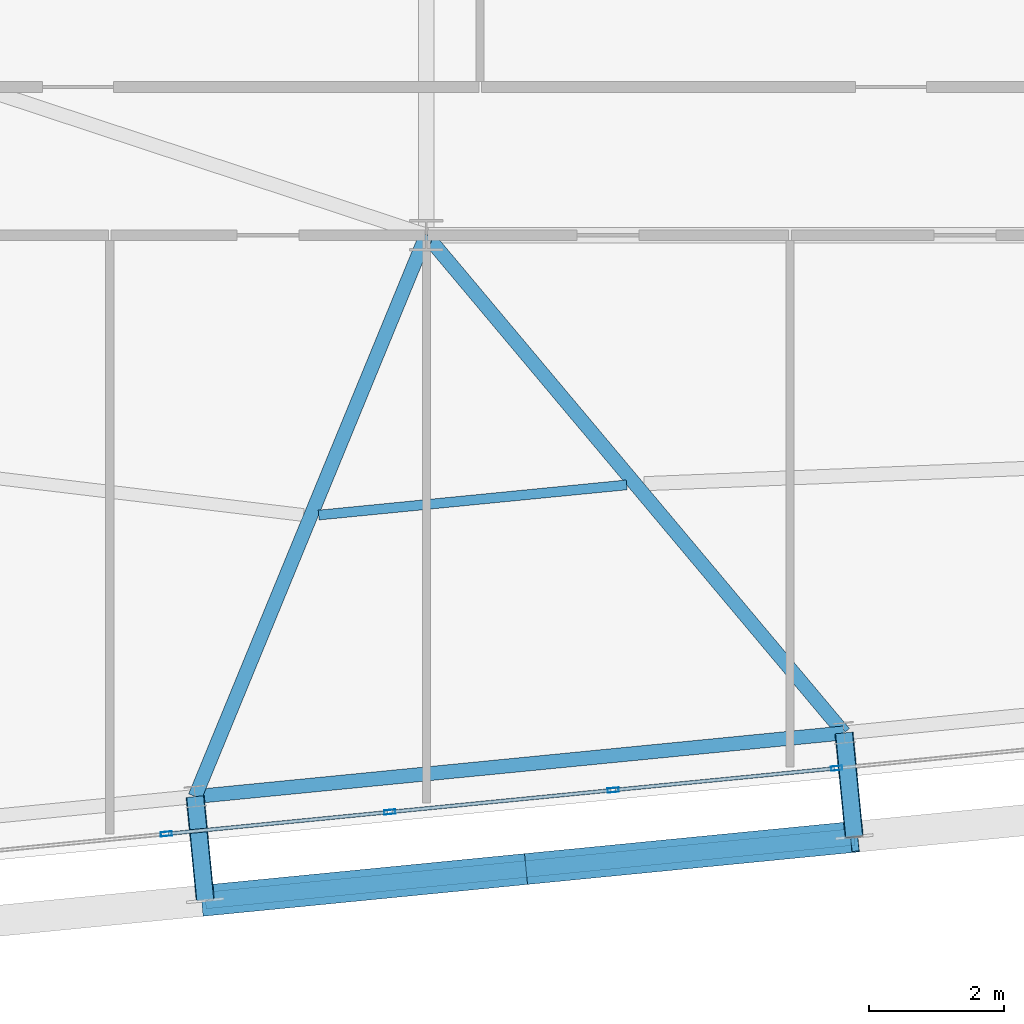
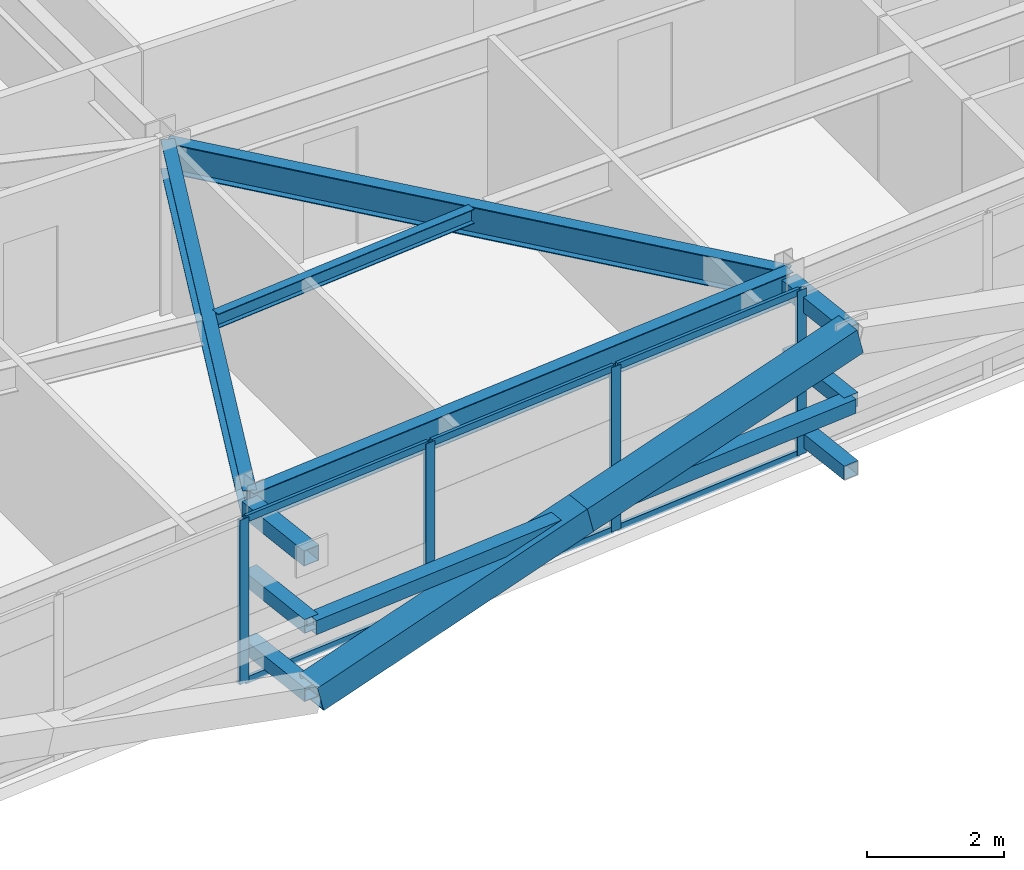
# One storey, part 10 of 54: 19 members, 4 beams, 1 element without a shape of its own.
"""IFC4 building model written with IfcOpenShell, lengths in metres."""

import ifcopenshell
import ifcopenshell.guid

model = None  # the IFC model being written
_history = None  # IfcOwnerHistory: only IFC2X3 demands one
_inside = {}  # id of a spatial element -> (the spatial element, [elements in it])
_under = {}  # id of a project, library or spatial element -> (it, [spatial elements below it])
_declared = {}  # id of a project -> (the project, [libraries it declares])
_typed = {}  # id of a type object -> (the type object, [elements of that type])
_made_of = {}  # id of a material, layer set ... -> (it, [elements and type objects made of it])


def new_model(schema):
    """Start an empty IFC model of exactly this schema.

    Asked for "IFC4X3", IfcOpenShell would pick the latest addendum, in which some entities
    have other attributes; the version numbers below select the first issue.
    IFC2X3 requires an IfcOwnerHistory on every rooted entity: one is made here for all.
    """
    global model, _history
    if schema == "IFC4X3":
        model = ifcopenshell.file(schema_version=(4, 3, 0, 0))
    else:
        model = ifcopenshell.file(schema=schema)
    _inside.clear()
    _under.clear()
    _declared.clear()
    _typed.clear()
    _made_of.clear()
    _history = None
    if model.schema == "IFC2X3":
        org = make("IfcOrganization", Name="unknown")
        user = make(
            "IfcPersonAndOrganization",
            ThePerson=make("IfcPerson", FamilyName="unknown"),
            TheOrganization=org,
        )
        app = make(
            "IfcApplication",
            ApplicationDeveloper=org,
            Version="unknown",
            ApplicationFullName="unknown",
            ApplicationIdentifier="unknown",
        )
        _history = make(
            "IfcOwnerHistory",
            OwningUser=user,
            OwningApplication=app,
            ChangeAction="ADDED",
            CreationDate=0,
        )
    return model


def make(cls, **values):
    """One entity of the class cls with the attributes given. An attribute that is None is left unset."""
    return model.create_entity(
        cls, **{name: value for name, value in values.items() if value is not None}
    )


def rooted(cls, **values):
    """An entity with a GlobalId (a new one), such as an element, a storey or a relation."""
    return make(cls, GlobalId=ifcopenshell.guid.new(), OwnerHistory=_history, **values)


def si_unit(unit_type, name, prefix=None):
    """IfcSIUnit, for example si_unit("LENGTHUNIT", "METRE", prefix="MILLI")."""
    return make("IfcSIUnit", UnitType=unit_type, Prefix=prefix, Name=name)


def assignment(units):
    """IfcUnitAssignment: the units of a project."""
    return None if units is None else make("IfcUnitAssignment", Units=units)


def point(xyz):
    """IfcCartesianPoint."""
    return None if xyz is None else make("IfcCartesianPoint", Coordinates=xyz)


def direction(xyz):
    """IfcDirection."""
    return None if xyz is None else make("IfcDirection", DirectionRatios=xyz)


def frame(location, z_axis=None, x_axis=None):
    """IfcAxis2Placement3D, a coordinate frame: its origin and axes. An axis left out is left unset."""
    return make(
        "IfcAxis2Placement3D",
        Location=point(location),
        Axis=direction(z_axis),
        RefDirection=direction(x_axis),
    )


def frame_2d(location, x_axis=None):
    """IfcAxis2Placement2D, a coordinate frame in the plane: its origin and x axis."""
    return make(
        "IfcAxis2Placement2D", Location=point(location), RefDirection=direction(x_axis)
    )


def origin():
    """The frame at (0, 0, 0) with its axes left unset."""
    return frame((0.0, 0.0, 0.0))


def origin_2d():
    """The frame at (0, 0) in the plane with its x axis left unset."""
    return frame_2d((0.0, 0.0))


def place(relative_to, where):
    """IfcLocalPlacement: puts the frame where relative to a parent placement (None: the world)."""
    return make(
        "IfcLocalPlacement", PlacementRelTo=relative_to, RelativePlacement=where
    )


def context(
    kind, dimensions, precision=None, world=None, true_north=None, identifier=None
):
    """IfcGeometricRepresentationContext, for example the 3D "Model" context."""
    return make(
        "IfcGeometricRepresentationContext",
        ContextIdentifier=identifier,
        ContextType=kind,
        CoordinateSpaceDimension=dimensions,
        Precision=precision,
        WorldCoordinateSystem=world,
        TrueNorth=true_north,
    )


def subcontext(parent, identifier, kind, view, scale=None):
    """IfcGeometricRepresentationSubContext, for example "Body" below "Model"."""
    return make(
        "IfcGeometricRepresentationSubContext",
        ContextIdentifier=identifier,
        ContextType=kind,
        ParentContext=parent,
        TargetScale=scale,
        TargetView=view,
    )


def project(units=None, contexts=None):
    """IfcProject with its units and contexts."""
    return rooted(
        "IfcProject",
        Name="project",
        RepresentationContexts=contexts,
        UnitsInContext=assignment(units),
    )


def spatial(cls, under=None, at=None, **own):
    """A site, building, storey or space (cls), placed at a placement, below another one or the project."""
    s = rooted(cls, ObjectPlacement=at, **own)
    if under is not None:
        _under.setdefault(under.id(), (under, []))[1].append(s)
    return s


def profile(cls, at=None, kind="AREA", **sizes):
    """A parametric profile (cls). Its sizes go by their IFC names, for example OverallWidth=200.0."""
    return make(cls, ProfileType=kind, Position=at, **sizes)


def hollow_rectangle(**sizes):
    """IfcRectangleHollowProfileDef."""
    return profile("IfcRectangleHollowProfileDef", **sizes)


def i_section(**sizes):
    """IfcIShapeProfileDef."""
    return profile("IfcIShapeProfileDef", **sizes)


def extrude(swept, where, along, depth):
    """IfcExtrudedAreaSolid: the profile swept, set in the frame where, extruded along a direction by depth."""
    return make(
        "IfcExtrudedAreaSolid",
        SweptArea=swept,
        Position=where,
        ExtrudedDirection=direction(along),
        Depth=depth,
    )


def shape(context_of_items, identifier, shape_type, items):
    """IfcShapeRepresentation: the items that make up one representation, for example the "Body"."""
    return make(
        "IfcShapeRepresentation",
        ContextOfItems=context_of_items,
        RepresentationIdentifier=identifier,
        RepresentationType=shape_type,
        Items=items,
    )


def source(mapping_origin, context_of_items, identifier, shape_type, items):
    """IfcRepresentationMap: a shape defined once, which mapped items show again and again."""
    return make(
        "IfcRepresentationMap",
        MappingOrigin=mapping_origin,
        MappedRepresentation=shape(context_of_items, identifier, shape_type, items),
    )


def transform(
    local_origin,
    x_axis=None,
    y_axis=None,
    z_axis=None,
    scale=None,
    scale2=None,
    scale3=None,
    uniform=True,
):
    """IfcCartesianTransformationOperator3D, or its non-uniform kind. x_axis, y_axis, z_axis: its Axis1, 2, 3."""
    if uniform:
        return make(
            "IfcCartesianTransformationOperator3D",
            Axis1=direction(x_axis),
            Axis2=direction(y_axis),
            LocalOrigin=point(local_origin),
            Scale=scale,
            Axis3=direction(z_axis),
        )
    return make(
        "IfcCartesianTransformationOperator3DnonUniform",
        Axis1=direction(x_axis),
        Axis2=direction(y_axis),
        LocalOrigin=point(local_origin),
        Scale=scale,
        Axis3=direction(z_axis),
        Scale2=scale2,
        Scale3=scale3,
    )


def mapped(mapping_source, mapping_target):
    """IfcMappedItem: shows the shape of a source again, moved by a transform."""
    return make(
        "IfcMappedItem", MappingSource=mapping_source, MappingTarget=mapping_target
    )


def material(Name=None, Category=None):
    """IfcMaterial."""
    return make("IfcMaterial", Name=Name, Category=Category)


def layer(
    of_material, thickness, ventilated=None, Name=None, Category=None, Priority=None
):
    """IfcMaterialLayer: one layer of a wall or slab, of a material (None: an air gap)."""
    return make(
        "IfcMaterialLayer",
        Material=of_material,
        LayerThickness=thickness,
        IsVentilated=ventilated,
        Name=Name,
        Category=Category,
        Priority=Priority,
    )


def layer_set(layers, Name=None):
    """IfcMaterialLayerSet."""
    return make("IfcMaterialLayerSet", MaterialLayers=layers, LayerSetName=Name)


def material_profile(
    of_material, cross_section, Name=None, Category=None, Priority=None
):
    """IfcMaterialProfile: a cross section and its material."""
    return make(
        "IfcMaterialProfile",
        Name=Name,
        Material=of_material,
        Profile=cross_section,
        Priority=Priority,
        Category=Category,
    )


def profile_set(profiles, Name=None, composite=None):
    """IfcMaterialProfileSet."""
    return make(
        "IfcMaterialProfileSet",
        Name=Name,
        MaterialProfiles=profiles,
        CompositeProfile=composite,
    )


def made_of(thing, what):
    """Note that an element or type object is made of a material, layer set ...; save() writes the relation."""
    if what is not None:
        _made_of.setdefault(what.id(), (what, []))[1].append(thing)
    return thing


def type_object(cls, material=None, **own):
    """A type object (cls), such as IfcWallType, which elements share."""
    return made_of(rooted(cls, **own), material)


def element(
    cls,
    number,
    at=None,
    inside=None,
    cuts=None,
    type_object=None,
    material=None,
    context=None,
    identifier="Body",
    shape_type=None,
    held_by="IfcProductDefinitionShape",
    body=None,
    shapes=None,
    **own,
):
    """One element of the class cls, such as IfcWall. Its Tag is "e" and its number.

    at: its placement. inside: the storey or other place that contains it. cuts: it is an
    opening in that element (IfcRelVoidsElement). A single representation is given by context,
    identifier, shape_type and body (its items); several are given by shapes. held_by: the class
    of the entity that holds the representations. save() writes the other relations.
    """
    e = rooted(cls, Tag="e%d" % number, ObjectPlacement=at, **own)
    if body is not None:
        shapes = [shape(context, identifier, shape_type, body)]
    if shapes is not None:
        e.Representation = make(held_by, Representations=shapes)
    if inside is not None:
        _inside.setdefault(inside.id(), (inside, []))[1].append(e)
    if cuts is not None:
        rooted(
            "IfcRelVoidsElement", RelatingBuildingElement=cuts, RelatedOpeningElement=e
        )
    if type_object is not None:
        _typed.setdefault(type_object.id(), (type_object, []))[1].append(e)
    return made_of(e, material)


def aggregate(whole, parts):
    """IfcRelAggregates: a whole, such as a stair, and the parts it consists of."""
    return rooted("IfcRelAggregates", RelatingObject=whole, RelatedObjects=parts)


def save(model, path):
    """Write the relations noted so far, then the file.

    IfcRelAggregates (storeys below a building ...), IfcRelContainedInSpatialStructure (elements
    in a storey), IfcRelDefinesByType, IfcRelAssociatesMaterial and IfcRelDeclares: one each for
    every whole, place, type object, material and project.
    """
    for whole, parts in _under.values():
        aggregate(whole, parts)
    for where, things in _inside.values():
        rooted(
            "IfcRelContainedInSpatialStructure",
            RelatedElements=things,
            RelatingStructure=where,
        )
    for kind, things in _typed.values():
        rooted("IfcRelDefinesByType", RelatedObjects=things, RelatingType=kind)
    for what, things in _made_of.values():
        rooted("IfcRelAssociatesMaterial", RelatedObjects=things, RelatingMaterial=what)
    for by, libraries in _declared.values():
        rooted("IfcRelDeclares", RelatingContext=by, RelatedDefinitions=libraries)
    model.write(path)


model = new_model("IFC4")

# Units and contexts
model_context = context("Model", 3, precision=1e-05, world=origin(), true_north=direction((0.0, 1.0)))
body_context = subcontext(model_context, "Body", "Model", "MODEL_VIEW")
ifc_project = project(units=[si_unit("LENGTHUNIT", "METRE"), si_unit("AREAUNIT", "SQUARE_METRE"), si_unit("VOLUMEUNIT", "CUBIC_METRE"), si_unit("PLANEANGLEUNIT", "RADIAN"), si_unit("MASSUNIT", "GRAM", prefix="KILO")], contexts=[model_context])

# Site, building, storey
site_placement = place(None, origin())
site = spatial("IfcSite", under=ifc_project, at=site_placement, CompositionType="ELEMENT")
building_placement = place(site_placement, origin())
building = spatial("IfcBuilding", under=site, at=building_placement, Name="Taldren Reach Tower", CompositionType="ELEMENT")
storey_placement = place(building_placement, frame((0.0, 0.0, 102.89990234375)))
storey = spatial("IfcBuildingStorey", under=building, at=storey_placement, Name="L31", CompositionType="ELEMENT", Elevation=102.89990234375)

# Beams
ifc_material_1 = material(Name="Steel Gr 350 (350PLUS)", Category="steel")
ifc_material_profile_1 = material_profile(ifc_material_1, i_section(OverallWidth=0.208984375, OverallDepth=0.528076171875, WebThickness=0.009521484375, FlangeThickness=0.01318359375, at=origin_2d()), Name="530UB82.0")
ifc_profile_set_1 = profile_set([ifc_material_profile_1], Name="Steel Gr 350 (350PLUS)")
beam_type_1 = type_object("IfcBeamType", Name="SP-UB530B", PredefinedType="SPANDREL", material=ifc_profile_set_1)
shared_shape_1 = source(origin(), body_context, "Body", "SweptSolid", [
    extrude(i_section(OverallWidth=0.208984375, OverallDepth=0.528076171875, WebThickness=0.009521484375, FlangeThickness=0.01318359375, at=origin_2d()), origin(), (0.0, 0.0, 1.0), 9.679931640625),
])
beam_1_placement = place(storey_placement, frame((24.56787109375, 0.86474609375, 2.666015625), z_axis=(0.995227612658, 0.097580730699, 0.0), x_axis=(-0.097580730699, 0.995227612658, 0.0)))
element("IfcBeam", 1, at=beam_1_placement, inside=storey, type_object=beam_type_1, Name="Perimeter spandrel B2 S2-S3 L31", PredefinedType="SPANDREL", context=body_context, shape_type="MappedRepresentation", body=[
    mapped(shared_shape_1, transform((0.0, 0.0, 0.0), scale=1.0)),
])
ifc_material_profile_2 = material_profile(ifc_material_1, i_section(OverallWidth=0.208984375, OverallDepth=0.532958984375, WebThickness=0.01025390625, FlangeThickness=0.015625, at=origin_2d()), Name="530UB92.4")
ifc_profile_set_2 = profile_set([ifc_material_profile_2], Name="Steel Gr 350 (350PLUS)")
beam_type_2 = type_object("IfcBeamType", Name="BM-UB530A", PredefinedType="BEAM", material=ifc_profile_set_2)
shared_shape_2 = source(origin(), body_context, "Body", "SweptSolid", [
    extrude(i_section(OverallWidth=0.208984375, OverallDepth=0.532958984375, WebThickness=0.01025390625, FlangeThickness=0.015625, at=origin_2d()), origin(), (0.0, 0.0, 1.0), 9.01416015625),
])
beam_2_placement = place(storey_placement, frame((28.0, 9.199951171875, 2.66357421875), z_axis=(-0.380748443035, -0.924678659387, 0.0), x_axis=(0.924678659387, -0.380748443035, 0.0)))
element("IfcBeam", 2, at=beam_2_placement, inside=storey, type_object=beam_type_2, Name="Primary floor girder B2-S2 L31", PredefinedType="BEAM", context=body_context, shape_type="MappedRepresentation", body=[
    mapped(shared_shape_2, transform((0.0, 0.0, 0.0), scale=1.0)),
])
shared_shape_3 = source(origin(), body_context, "Body", "SweptSolid", [
    extrude(i_section(OverallWidth=0.208984375, OverallDepth=0.532958984375, WebThickness=0.01025390625, FlangeThickness=0.015625, at=origin_2d()), origin(), (0.0, 0.0, 1.0), 9.64794921875),
])
beam_3_placement = place(storey_placement, frame((28.0, 9.199951171875, 2.66357421875), z_axis=(0.642799132398, -0.766034774268, 0.0), x_axis=(0.766034774268, 0.642799132398, 0.0)))
element("IfcBeam", 3, at=beam_3_placement, inside=storey, type_object=beam_type_2, Name="Primary floor girder B2-S3 L31", PredefinedType="BEAM", context=body_context, shape_type="MappedRepresentation", body=[
    mapped(shared_shape_3, transform((0.0, 0.0, 0.0), scale=1.0)),
])
ifc_material_2 = material(Name="Steel Gr 300 (300PLUS, 300 MPa)", Category="steel")
ifc_material_profile_3 = material_profile(ifc_material_2, i_section(OverallWidth=0.14599609375, OverallDepth=0.256103515625, WebThickness=0.00634765625, FlangeThickness=0.010986328125, at=origin_2d()), Name="250UB37.3")
ifc_profile_set_3 = profile_set([ifc_material_profile_3], Name="Steel Gr 300 (300PLUS, 300 MPa)")
beam_type_3 = type_object("IfcBeamType", Name="JS-UB250", PredefinedType="JOIST", material=ifc_profile_set_3)
shared_shape_4 = source(origin(), body_context, "Body", "SweptSolid", [
    extrude(i_section(OverallWidth=0.14599609375, OverallDepth=0.256103515625, WebThickness=0.00634765625, FlangeThickness=0.010986328125, at=origin_2d()), origin(), (0.0, 0.0, 1.0), 4.594970703125),
])
beam_4_placement = place(storey_placement, frame((26.40185546875, 5.0439453125, 2.802001953125), z_axis=(0.995230447096, 0.097551817888, 0.0), x_axis=(-0.097551817888, 0.995230447096, 0.0)))
element("IfcBeam", 4, at=beam_4_placement, inside=storey, type_object=beam_type_3, Name="Secondary floor joist B2 J2 L31", PredefinedType="JOIST", context=body_context, shape_type="MappedRepresentation", body=[
    mapped(shared_shape_4, transform((0.0, 0.0, 0.0), scale=1.0)),
])

# Members
ifc_material_3 = material(Name="Steel Gr 450 (C450L0)", Category="steel")
ifc_material_profile_4 = material_profile(ifc_material_3, hollow_rectangle(XDim=0.27490234375, YDim=0.27490234375, WallThickness=0.00927734375, at=origin_2d()), Name="275x275x9.3SHS")
ifc_profile_set_4 = profile_set([ifc_material_profile_4], Name="Steel Gr 450 (C450L0)")
member_type_1 = type_object("IfcMemberType", Name="MB-TIE273", PredefinedType="STRUT", material=ifc_profile_set_4)
shared_shape_5 = source(origin(), body_context, "Body", "SweptSolid", [
    extrude(hollow_rectangle(XDim=0.27490234375, YDim=0.27490234375, WallThickness=0.00927734375, at=origin_2d()), origin(), (0.0, 0.0, 1.0), 1.550048828125),
])
for number, where, z_axis, x_axis, name in (
    (5, (24.56787109375, 0.86474609375, 2.650146484375), (0.097647892962, -0.9952210252, 0.0), (0.9952210252, 0.097647892962, 0.0), "Exoskeleton diaphragm tie strut B2-S2 L31"),
    (6, (34.20166015625, 1.809326171875, 2.650146484375), (0.097647892962, -0.9952210252, 0.0), (0.9952210252, 0.097647892962, 0.0), "Exoskeleton diaphragm tie strut B2-S3 L31"),
):
    element("IfcMember", number, at=place(storey_placement, frame(where, z_axis=z_axis, x_axis=x_axis)), inside=storey, type_object=member_type_1, Name=name, PredefinedType="STRUT", context=body_context, shape_type="MappedRepresentation", body=[
        mapped(shared_shape_5, transform((0.0, 0.0, 0.0), scale=1.0)),
    ])
ifc_material_profile_5 = material_profile(ifc_material_3, hollow_rectangle(XDim=0.4599609375, YDim=0.4599609375, WallThickness=0.01611328125, at=origin_2d()), Name="460x460x16.0SHS")
ifc_profile_set_5 = profile_set([ifc_material_profile_5], Name="Steel Gr 450 (C450L0)")
member_type_2 = type_object("IfcMemberType", Name="MB-EXO457", PredefinedType="BRACE", material=ifc_profile_set_5)
shared_shape_6 = source(origin(), body_context, "Body", "SweptSolid", [
    extrude(hollow_rectangle(XDim=0.4599609375, YDim=0.4599609375, WallThickness=0.01611328125, at=origin_2d()), origin(), (0.0, 0.0, 1.0), 4.990234375),
])
for number, where, z_axis, x_axis, name in (
    (7, (24.71923828125, -0.677978515625, 0.22021484375), (0.965282554799, 0.094669120301, 0.243448859234), (-0.097605711627, 0.995225162995, 0.0), "Exoskeleton Diagrid Brace B2-S2 L31"),
    (8, (29.5361328125, -0.20556640625, 1.43505859375), (0.965275526283, 0.094619506732, 0.243496010862), (-0.097555749586, 0.995230061706, 0.0), "Exoskeleton Diagrid Brace B2-S2 L31"),
):
    element("IfcMember", number, at=place(storey_placement, frame(where, z_axis=z_axis, x_axis=x_axis)), inside=storey, type_object=member_type_2, Name=name, PredefinedType="BRACE", context=body_context, shape_type="MappedRepresentation", body=[
        mapped(shared_shape_6, transform((0.0, 0.0, 0.0), scale=1.0)),
    ])
ifc_material_4 = material(Name="Steel Gr 350 (C350L0)", Category="steel")
ifc_material_profile_6 = material_profile(ifc_material_4, hollow_rectangle(XDim=0.25, YDim=0.25, WallThickness=0.010009765625, at=origin_2d()), Name="250x250x10.0SHS")
ifc_profile_set_6 = profile_set([ifc_material_profile_6], Name="Steel Gr 350 (C350L0)")
member_type_3 = type_object("IfcMemberType", Name="MB-POST250", PredefinedType="POST", material=ifc_profile_set_6)
shared_shape_7 = source(origin(), body_context, "Body", "SweptSolid", [
    extrude(hollow_rectangle(XDim=0.25, YDim=0.25, WallThickness=0.010009765625, at=origin_2d()), origin(), (0.0, 0.0, 1.0), 9.679931640625),
])
member_1_placement = place(storey_placement, frame((24.71923828125, -0.677978515625, 1.43505859375), z_axis=(0.995227612658, 0.097580730699, 0.0), x_axis=(-0.097580730699, 0.995227612658, 0.0)))
element("IfcMember", 9, at=member_1_placement, inside=storey, type_object=member_type_3, Name="Exoskeleton mid-height ring chord B2-S2 L31", PredefinedType="POST", context=body_context, shape_type="MappedRepresentation", body=[
    mapped(shared_shape_7, transform((0.0, 0.0, 0.0), scale=1.0)),
])
shared_shape_8 = source(origin(), body_context, "Body", "SweptSolid", [
    extrude(hollow_rectangle(XDim=0.25, YDim=0.25, WallThickness=0.010009765625, at=origin_2d()), origin(), (0.0, 0.0, 1.0), 1.550048828125),
])
for number, where, z_axis, x_axis, name in (
    (10, (24.56787109375, 0.86474609375, 0.22021484375), (0.097647892962, -0.9952210252, 0.0), (0.9952210252, 0.097647892962, 0.0), "Exoskeleton base diaphragm tie strut B2-S2 L31"),
    (11, (34.20166015625, 1.809326171875, 0.22021484375), (0.097647892962, -0.9952210252, 0.0), (0.9952210252, 0.097647892962, 0.0), "Exoskeleton base diaphragm tie strut B2-S3 L31"),
    (12, (24.56787109375, 0.86474609375, 1.43505859375), (0.097647892962, -0.9952210252, 0.0), (0.9952210252, 0.097647892962, 0.0), "Exoskeleton mid-tier diaphragm tie B2-S2 L31"),
    (13, (34.20166015625, 1.809326171875, 1.43505859375), (0.097647892962, -0.9952210252, 0.0), (0.9952210252, 0.097647892962, 0.0), "Exoskeleton mid-tier diaphragm tie B2-S3 L31"),
):
    element("IfcMember", number, at=place(storey_placement, frame(where, z_axis=z_axis, x_axis=x_axis)), inside=storey, type_object=member_type_3, Name=name, PredefinedType="POST", context=body_context, shape_type="MappedRepresentation", body=[
        mapped(shared_shape_8, transform((0.0, 0.0, 0.0), scale=1.0)),
    ])

# Curtain wall, members
ifc_material_5 = material(Name="Aluminium and Low-E Glass Unitised System", Category="aluminium")
ifc_layer = layer(ifc_material_5, 0.159912109375)
ifc_layer_set = layer_set([ifc_layer], Name="Aluminium and Low-E Glass Unitised System")
curtain_wall_type = type_object("IfcCurtainWallType", Name="CW-SYS-3", PredefinedType="NOTDEFINED", material=ifc_layer_set)
curtain_wall_placement = place(storey_placement, origin())
curtain_wall = element("IfcCurtainWall", 14, at=curtain_wall_placement, inside=storey, type_object=curtain_wall_type, Name="Unitised curtain wall CW-L31-S", PredefinedType="NOTDEFINED")
ifc_material_6 = material(Name="Anodised Aluminium 6063-T6", Category="aluminium")
ifc_material_profile_7 = material_profile(ifc_material_6, hollow_rectangle(XDim=0.06494140625, YDim=0.1650390625, WallThickness=0.00390625, at=origin_2d()), Name="ALU-165x65x4RHS")
ifc_profile_set_7 = profile_set([ifc_material_profile_7], Name="Anodised Aluminium 6063-T6")
member_type_4 = type_object("IfcMemberType", Name="CW-MUL-165", PredefinedType="MULLION", material=ifc_profile_set_7)
shared_shape_9 = source(origin(), body_context, "Body", "SweptSolid", [
    extrude(hollow_rectangle(XDim=0.06494140625, YDim=0.1650390625, WallThickness=0.00390625, at=origin_2d()), origin(), (0.0, 0.0, 1.0), 2.93017578125),
])
member_2_placement = place(storey_placement, frame((24.14013671875, 0.310302734375, 0.0), z_axis=(0.0, 0.0, 1.0), x_axis=(-0.097582999046, 0.995227390247, 0.0)))
member_2 = element("IfcMember", 15, at=member_2_placement, type_object=member_type_4, Name="CW-3 mullion 4", PredefinedType="MULLION", context=body_context, shape_type="MappedRepresentation", body=[
    mapped(shared_shape_9, transform((0.0, 0.0, 0.0), scale=1.0)),
])
member_3_placement = place(storey_placement, frame((27.45751953125, 0.635498046875, 0.0), z_axis=(0.0, 0.0, 1.0), x_axis=(-0.097582999046, 0.995227390247, 0.0)))
member_3 = element("IfcMember", 16, at=member_3_placement, type_object=member_type_4, Name="CW-3 mullion 5", PredefinedType="MULLION", context=body_context, shape_type="MappedRepresentation", body=[
    mapped(shared_shape_9, transform((0.0, 0.0, 0.0), scale=1.0)),
])
member_4_placement = place(storey_placement, frame((30.77490234375, 0.9609375, 0.0), z_axis=(0.0, 0.0, 1.0), x_axis=(-0.097582999046, 0.995227390247, 0.0)))
member_4 = element("IfcMember", 17, at=member_4_placement, type_object=member_type_4, Name="CW-3 mullion 6", PredefinedType="MULLION", context=body_context, shape_type="MappedRepresentation", body=[
    mapped(shared_shape_9, transform((0.0, 0.0, 0.0), scale=1.0)),
])
member_5_placement = place(storey_placement, frame((34.09228515625, 1.2861328125, 0.0), z_axis=(0.0, 0.0, 1.0), x_axis=(-0.097582999046, 0.995227390247, 0.0)))
member_5 = element("IfcMember", 18, at=member_5_placement, type_object=member_type_4, Name="CW-3 mullion 7", PredefinedType="MULLION", context=body_context, shape_type="MappedRepresentation", body=[
    mapped(shared_shape_9, transform((0.0, 0.0, 0.0), scale=1.0)),
])
ifc_material_profile_8 = material_profile(ifc_material_6, hollow_rectangle(XDim=0.054931640625, YDim=0.1201171875, WallThickness=0.0029296875, at=origin_2d()), Name="ALU-120x55x3RHS")
ifc_profile_set_8 = profile_set([ifc_material_profile_8], Name="Anodised Aluminium 6063-T6")
member_type_5 = type_object("IfcMemberType", Name="CW-TRN-135", PredefinedType="USERDEFINED", material=ifc_profile_set_8)
shared_shape_10 = source(origin(), body_context, "Body", "SweptSolid", [
    extrude(hollow_rectangle(XDim=0.054931640625, YDim=0.1201171875, WallThickness=0.0029296875, at=origin_2d()), origin(), (0.0, 0.0, 1.0), 3.268310546875),
])
member_6_placement = place(storey_placement, frame((24.17236328125, 0.3134765625, 0.027587890625), z_axis=(0.99522980512, 0.097558367146, 0.0), x_axis=(-0.097558367146, 0.99522980512, 0.0)))
member_6 = element("IfcMember", 19, at=member_6_placement, type_object=member_type_5, Name="CW-3 transom 4.1", ObjectType="TRANSOM", PredefinedType="USERDEFINED", context=body_context, shape_type="MappedRepresentation", body=[
    mapped(shared_shape_10, transform((0.0, 0.0, 0.0), scale=1.0)),
])
member_7_placement = place(storey_placement, frame((24.17236328125, 0.3134765625, 2.902587890625), z_axis=(0.99522980512, 0.097558367146, 0.0), x_axis=(-0.097558367146, 0.99522980512, 0.0)))
member_7 = element("IfcMember", 20, at=member_7_placement, type_object=member_type_5, Name="CW-3 transom 4.2", ObjectType="TRANSOM", PredefinedType="USERDEFINED", context=body_context, shape_type="MappedRepresentation", body=[
    mapped(shared_shape_10, transform((0.0, 0.0, 0.0), scale=1.0)),
])
member_8_placement = place(storey_placement, frame((27.48974609375, 0.638671875, 0.027587890625), z_axis=(0.995222549564, 0.097632355496, 0.0), x_axis=(-0.097632355496, 0.995222549564, 0.0)))
member_8 = element("IfcMember", 21, at=member_8_placement, type_object=member_type_5, Name="CW-3 transom 5.1", ObjectType="TRANSOM", PredefinedType="USERDEFINED", context=body_context, shape_type="MappedRepresentation", body=[
    mapped(shared_shape_10, transform((0.0, 0.0, 0.0), scale=1.0)),
])
member_9_placement = place(storey_placement, frame((27.48974609375, 0.638671875, 2.902587890625), z_axis=(0.995222549564, 0.097632355496, 0.0), x_axis=(-0.097632355496, 0.995222549564, 0.0)))
member_9 = element("IfcMember", 22, at=member_9_placement, type_object=member_type_5, Name="CW-3 transom 5.2", ObjectType="TRANSOM", PredefinedType="USERDEFINED", context=body_context, shape_type="MappedRepresentation", body=[
    mapped(shared_shape_10, transform((0.0, 0.0, 0.0), scale=1.0)),
])
shared_shape_11 = source(origin(), body_context, "Body", "SweptSolid", [
    extrude(hollow_rectangle(XDim=0.054931640625, YDim=0.1201171875, WallThickness=0.0029296875, at=origin_2d()), origin(), (0.0, 0.0, 1.0), 3.2685546875),
])
member_10_placement = place(storey_placement, frame((30.80712890625, 0.964111328125, 0.027587890625), z_axis=(0.99523051601, 0.097551114824, 0.0), x_axis=(-0.097551114824, 0.99523051601, 0.0)))
member_10 = element("IfcMember", 23, at=member_10_placement, type_object=member_type_5, Name="CW-3 transom 6.1", ObjectType="TRANSOM", PredefinedType="USERDEFINED", context=body_context, shape_type="MappedRepresentation", body=[
    mapped(shared_shape_11, transform((0.0, 0.0, 0.0), scale=1.0)),
])
member_11_placement = place(storey_placement, frame((30.80712890625, 0.964111328125, 2.902587890625), z_axis=(0.99523051601, 0.097551114824, 0.0), x_axis=(-0.097551114824, 0.99523051601, 0.0)))
member_11 = element("IfcMember", 24, at=member_11_placement, type_object=member_type_5, Name="CW-3 transom 6.2", ObjectType="TRANSOM", PredefinedType="USERDEFINED", context=body_context, shape_type="MappedRepresentation", body=[
    mapped(shared_shape_11, transform((0.0, 0.0, 0.0), scale=1.0)),
])
aggregate(curtain_wall, [member_2, member_3, member_4, member_5, member_6, member_7, member_8, member_9, member_10, member_11])

save(model, "model.ifc")
